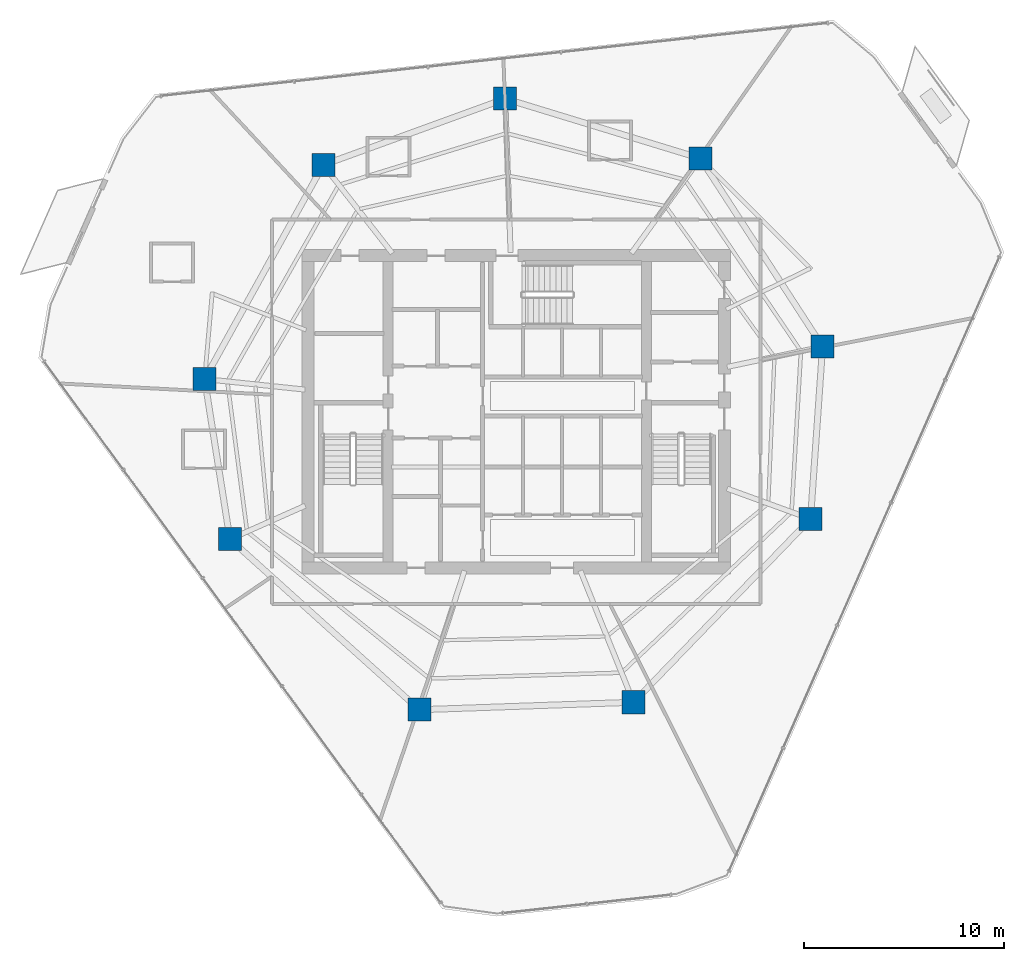
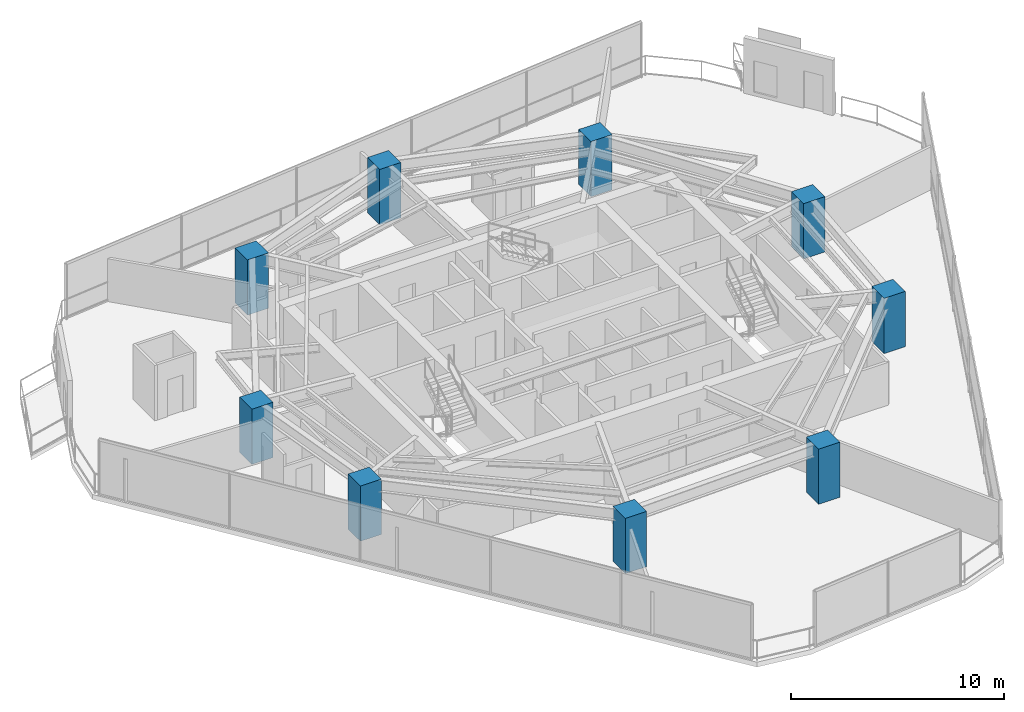
# One storey, part 1 of 30: 9 columns.
"""IFC4 building model written with IfcOpenShell, lengths in metres."""

import ifcopenshell
import ifcopenshell.guid

model = None  # the IFC model being written
_history = None  # IfcOwnerHistory: only IFC2X3 demands one
_inside = {}  # id of a spatial element -> (the spatial element, [elements in it])
_under = {}  # id of a project, library or spatial element -> (it, [spatial elements below it])
_declared = {}  # id of a project -> (the project, [libraries it declares])
_typed = {}  # id of a type object -> (the type object, [elements of that type])
_made_of = {}  # id of a material, layer set ... -> (it, [elements and type objects made of it])


def new_model(schema):
    """Start an empty IFC model of exactly this schema.

    Asked for "IFC4X3", IfcOpenShell would pick the latest addendum, in which some entities
    have other attributes; the version numbers below select the first issue.
    IFC2X3 requires an IfcOwnerHistory on every rooted entity: one is made here for all.
    """
    global model, _history
    if schema == "IFC4X3":
        model = ifcopenshell.file(schema_version=(4, 3, 0, 0))
    else:
        model = ifcopenshell.file(schema=schema)
    _inside.clear()
    _under.clear()
    _declared.clear()
    _typed.clear()
    _made_of.clear()
    _history = None
    if model.schema == "IFC2X3":
        org = make("IfcOrganization", Name="unknown")
        user = make(
            "IfcPersonAndOrganization",
            ThePerson=make("IfcPerson", FamilyName="unknown"),
            TheOrganization=org,
        )
        app = make(
            "IfcApplication",
            ApplicationDeveloper=org,
            Version="unknown",
            ApplicationFullName="unknown",
            ApplicationIdentifier="unknown",
        )
        _history = make(
            "IfcOwnerHistory",
            OwningUser=user,
            OwningApplication=app,
            ChangeAction="ADDED",
            CreationDate=0,
        )
    return model


def make(cls, **values):
    """One entity of the class cls with the attributes given. An attribute that is None is left unset."""
    return model.create_entity(
        cls, **{name: value for name, value in values.items() if value is not None}
    )


def rooted(cls, **values):
    """An entity with a GlobalId (a new one), such as an element, a storey or a relation."""
    return make(cls, GlobalId=ifcopenshell.guid.new(), OwnerHistory=_history, **values)


def si_unit(unit_type, name, prefix=None):
    """IfcSIUnit, for example si_unit("LENGTHUNIT", "METRE", prefix="MILLI")."""
    return make("IfcSIUnit", UnitType=unit_type, Prefix=prefix, Name=name)


def assignment(units):
    """IfcUnitAssignment: the units of a project."""
    return None if units is None else make("IfcUnitAssignment", Units=units)


def point(xyz):
    """IfcCartesianPoint."""
    return None if xyz is None else make("IfcCartesianPoint", Coordinates=xyz)


def direction(xyz):
    """IfcDirection."""
    return None if xyz is None else make("IfcDirection", DirectionRatios=xyz)


def frame(location, z_axis=None, x_axis=None):
    """IfcAxis2Placement3D, a coordinate frame: its origin and axes. An axis left out is left unset."""
    return make(
        "IfcAxis2Placement3D",
        Location=point(location),
        Axis=direction(z_axis),
        RefDirection=direction(x_axis),
    )


def frame_2d(location, x_axis=None):
    """IfcAxis2Placement2D, a coordinate frame in the plane: its origin and x axis."""
    return make(
        "IfcAxis2Placement2D", Location=point(location), RefDirection=direction(x_axis)
    )


def origin():
    """The frame at (0, 0, 0) with its axes left unset."""
    return frame((0.0, 0.0, 0.0))


def origin_2d():
    """The frame at (0, 0) in the plane with its x axis left unset."""
    return frame_2d((0.0, 0.0))


def place(relative_to, where):
    """IfcLocalPlacement: puts the frame where relative to a parent placement (None: the world)."""
    return make(
        "IfcLocalPlacement", PlacementRelTo=relative_to, RelativePlacement=where
    )


def context(
    kind, dimensions, precision=None, world=None, true_north=None, identifier=None
):
    """IfcGeometricRepresentationContext, for example the 3D "Model" context."""
    return make(
        "IfcGeometricRepresentationContext",
        ContextIdentifier=identifier,
        ContextType=kind,
        CoordinateSpaceDimension=dimensions,
        Precision=precision,
        WorldCoordinateSystem=world,
        TrueNorth=true_north,
    )


def subcontext(parent, identifier, kind, view, scale=None):
    """IfcGeometricRepresentationSubContext, for example "Body" below "Model"."""
    return make(
        "IfcGeometricRepresentationSubContext",
        ContextIdentifier=identifier,
        ContextType=kind,
        ParentContext=parent,
        TargetScale=scale,
        TargetView=view,
    )


def project(units=None, contexts=None):
    """IfcProject with its units and contexts."""
    return rooted(
        "IfcProject",
        Name="project",
        RepresentationContexts=contexts,
        UnitsInContext=assignment(units),
    )


def spatial(cls, under=None, at=None, **own):
    """A site, building, storey or space (cls), placed at a placement, below another one or the project."""
    s = rooted(cls, ObjectPlacement=at, **own)
    if under is not None:
        _under.setdefault(under.id(), (under, []))[1].append(s)
    return s


def profile(cls, at=None, kind="AREA", **sizes):
    """A parametric profile (cls). Its sizes go by their IFC names, for example OverallWidth=200.0."""
    return make(cls, ProfileType=kind, Position=at, **sizes)


def rectangle(**sizes):
    """IfcRectangleProfileDef."""
    return profile("IfcRectangleProfileDef", **sizes)


def extrude(swept, where, along, depth):
    """IfcExtrudedAreaSolid: the profile swept, set in the frame where, extruded along a direction by depth."""
    return make(
        "IfcExtrudedAreaSolid",
        SweptArea=swept,
        Position=where,
        ExtrudedDirection=direction(along),
        Depth=depth,
    )


def shape(context_of_items, identifier, shape_type, items):
    """IfcShapeRepresentation: the items that make up one representation, for example the "Body"."""
    return make(
        "IfcShapeRepresentation",
        ContextOfItems=context_of_items,
        RepresentationIdentifier=identifier,
        RepresentationType=shape_type,
        Items=items,
    )


def material(Name=None, Category=None):
    """IfcMaterial."""
    return make("IfcMaterial", Name=Name, Category=Category)


def material_profile(
    of_material, cross_section, Name=None, Category=None, Priority=None
):
    """IfcMaterialProfile: a cross section and its material."""
    return make(
        "IfcMaterialProfile",
        Name=Name,
        Material=of_material,
        Profile=cross_section,
        Priority=Priority,
        Category=Category,
    )


def profile_set(profiles, Name=None, composite=None):
    """IfcMaterialProfileSet."""
    return make(
        "IfcMaterialProfileSet",
        Name=Name,
        MaterialProfiles=profiles,
        CompositeProfile=composite,
    )


def made_of(thing, what):
    """Note that an element or type object is made of a material, layer set ...; save() writes the relation."""
    if what is not None:
        _made_of.setdefault(what.id(), (what, []))[1].append(thing)
    return thing


def type_object(cls, material=None, **own):
    """A type object (cls), such as IfcWallType, which elements share."""
    return made_of(rooted(cls, **own), material)


def element(
    cls,
    number,
    at=None,
    inside=None,
    cuts=None,
    type_object=None,
    material=None,
    context=None,
    identifier="Body",
    shape_type=None,
    held_by="IfcProductDefinitionShape",
    body=None,
    shapes=None,
    **own,
):
    """One element of the class cls, such as IfcWall. Its Tag is "e" and its number.

    at: its placement. inside: the storey or other place that contains it. cuts: it is an
    opening in that element (IfcRelVoidsElement). A single representation is given by context,
    identifier, shape_type and body (its items); several are given by shapes. held_by: the class
    of the entity that holds the representations. save() writes the other relations.
    """
    e = rooted(cls, Tag="e%d" % number, ObjectPlacement=at, **own)
    if body is not None:
        shapes = [shape(context, identifier, shape_type, body)]
    if shapes is not None:
        e.Representation = make(held_by, Representations=shapes)
    if inside is not None:
        _inside.setdefault(inside.id(), (inside, []))[1].append(e)
    if cuts is not None:
        rooted(
            "IfcRelVoidsElement", RelatingBuildingElement=cuts, RelatedOpeningElement=e
        )
    if type_object is not None:
        _typed.setdefault(type_object.id(), (type_object, []))[1].append(e)
    return made_of(e, material)


def aggregate(whole, parts):
    """IfcRelAggregates: a whole, such as a stair, and the parts it consists of."""
    return rooted("IfcRelAggregates", RelatingObject=whole, RelatedObjects=parts)


def save(model, path):
    """Write the relations noted so far, then the file.

    IfcRelAggregates (storeys below a building ...), IfcRelContainedInSpatialStructure (elements
    in a storey), IfcRelDefinesByType, IfcRelAssociatesMaterial and IfcRelDeclares: one each for
    every whole, place, type object, material and project.
    """
    for whole, parts in _under.values():
        aggregate(whole, parts)
    for where, things in _inside.values():
        rooted(
            "IfcRelContainedInSpatialStructure",
            RelatedElements=things,
            RelatingStructure=where,
        )
    for kind, things in _typed.values():
        rooted("IfcRelDefinesByType", RelatedObjects=things, RelatingType=kind)
    for what, things in _made_of.values():
        rooted("IfcRelAssociatesMaterial", RelatedObjects=things, RelatingMaterial=what)
    for by, libraries in _declared.values():
        rooted("IfcRelDeclares", RelatingContext=by, RelatedDefinitions=libraries)
    model.write(path)


model = new_model("IFC4")

# Units and contexts
model_context = context("Model", 3, precision=1e-05, world=origin(), true_north=direction((0.0, 1.0)))
body_context = subcontext(model_context, "Body", "Model", "MODEL_VIEW")
ifc_project = project(units=[si_unit("LENGTHUNIT", "METRE"), si_unit("AREAUNIT", "SQUARE_METRE"), si_unit("VOLUMEUNIT", "CUBIC_METRE"), si_unit("PLANEANGLEUNIT", "RADIAN"), si_unit("MASSUNIT", "GRAM", prefix="KILO")], contexts=[model_context])

# Site, building, storey
site_placement = place(None, origin())
site = spatial("IfcSite", under=ifc_project, at=site_placement, CompositionType="ELEMENT")
building_placement = place(site_placement, origin())
building = spatial("IfcBuilding", under=site, at=building_placement, Name="Qarnah Convention Tower", CompositionType="ELEMENT")
storey_placement = place(building_placement, frame((0.0, 0.0, 90.14990234375)))
storey = spatial("IfcBuildingStorey", under=building, at=storey_placement, Name="L23", CompositionType="ELEMENT", Elevation=90.14990234375)

# Columns
ifc_material = material(Name="Concrete C60/75", Category="concrete")
ifc_material_profile = material_profile(ifc_material, rectangle(XDim=1.14990234375, YDim=1.14990234375, at=origin_2d()), Name="RC-COL-1150X1150")
ifc_profile_set = profile_set([ifc_material_profile], Name="Concrete C60/75")
column_type = type_object("IfcColumnType", Name="COL-Z2-1150", PredefinedType="COLUMN", material=ifc_profile_set)
for number, where, z_axis, x_axis, name in (
    (1, (52.508056640625, 29.654052734375, 0.0), (0.0, 0.0, 1.0), (1.0, 0.0, 0.0), "L23 plumb column PC-Z2-01"),
    (2, (46.39892578125, 39.06103515625, 0.0), (0.0, 0.0, 1.0), (1.0, 0.0, 0.0), "L23 plumb column PC-Z2-02"),
    (3, (36.654052734375, 42.0400390625, 0.0), (0.0, 0.0, 1.0), (1.0, 0.0, 0.0), "L23 plumb column PC-Z2-03"),
    (4, (27.56494140625, 38.73193359375, 0.0), (0.0, 0.0, 1.0), (1.0, 0.0, 0.0), "L23 plumb column PC-Z2-04"),
    (5, (21.635986328125, 28.035888671875, 0.0), (0.0, 0.0, 1.0), (1.0, 0.0, 0.0), "L23 plumb column PC-Z2-05"),
    (6, (22.903076171875, 20.034912109375, 0.0), (0.0, 0.0, 1.0), (1.0, 0.0, 0.0), "L23 plumb column PC-Z2-06"),
    (7, (32.364013671875, 11.51611328125, 0.0), (0.0, 0.0, 1.0), (1.0, 0.0, 0.0), "L23 plumb column PC-Z2-07"),
    (8, (43.06298828125, 11.889892578125, 0.0), (0.0, 0.0, 1.0), (1.0, 0.0, 0.0), "L23 plumb column PC-Z2-08"),
    (9, (51.906005859375, 21.047119140625, 0.0), (0.0, 0.0, 1.0), (1.0, 0.0, 0.0), "L23 plumb column PC-Z2-09"),
):
    element("IfcColumn", number, at=place(storey_placement, frame(where, z_axis=z_axis, x_axis=x_axis)), inside=storey, type_object=column_type, Name=name, PredefinedType="COLUMN", context=body_context, shape_type="SweptSolid", body=[
        extrude(rectangle(XDim=1.14990234375, YDim=1.14990234375, at=origin_2d()), origin(), (0.0, 0.0, 1.0), 3.170166015625),
    ])

save(model, "model.ifc")
